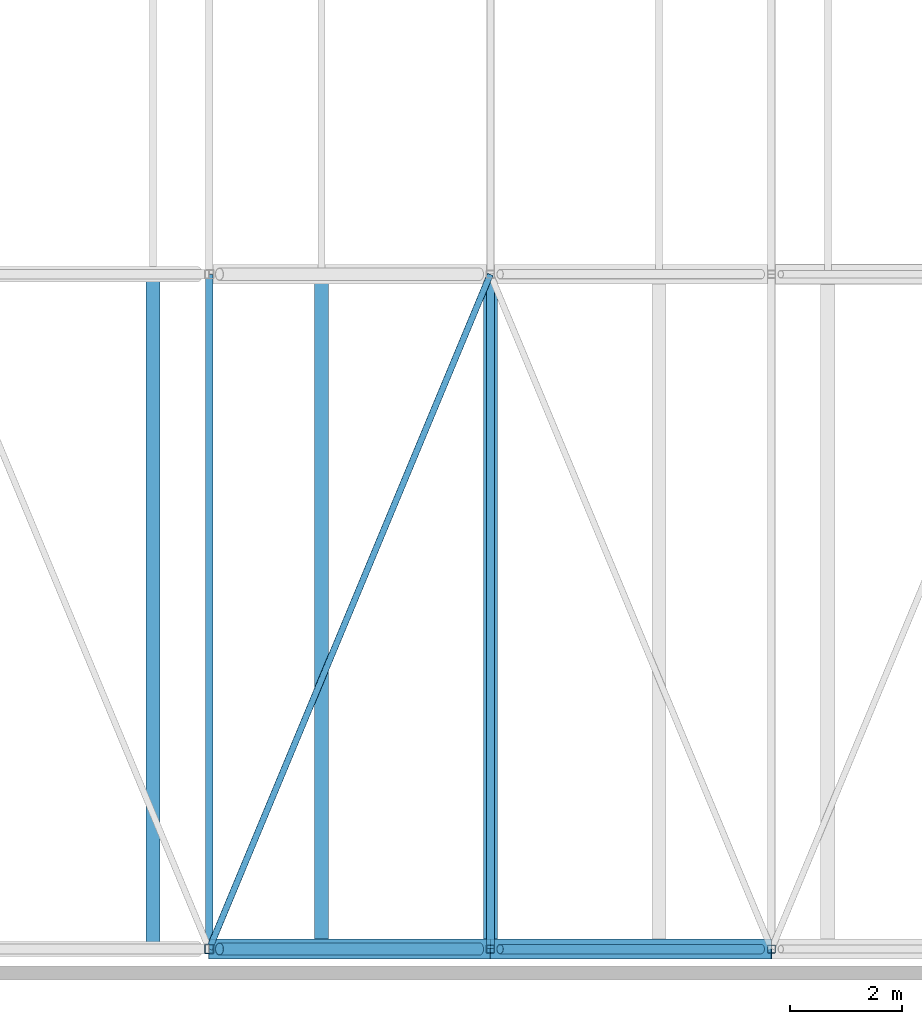
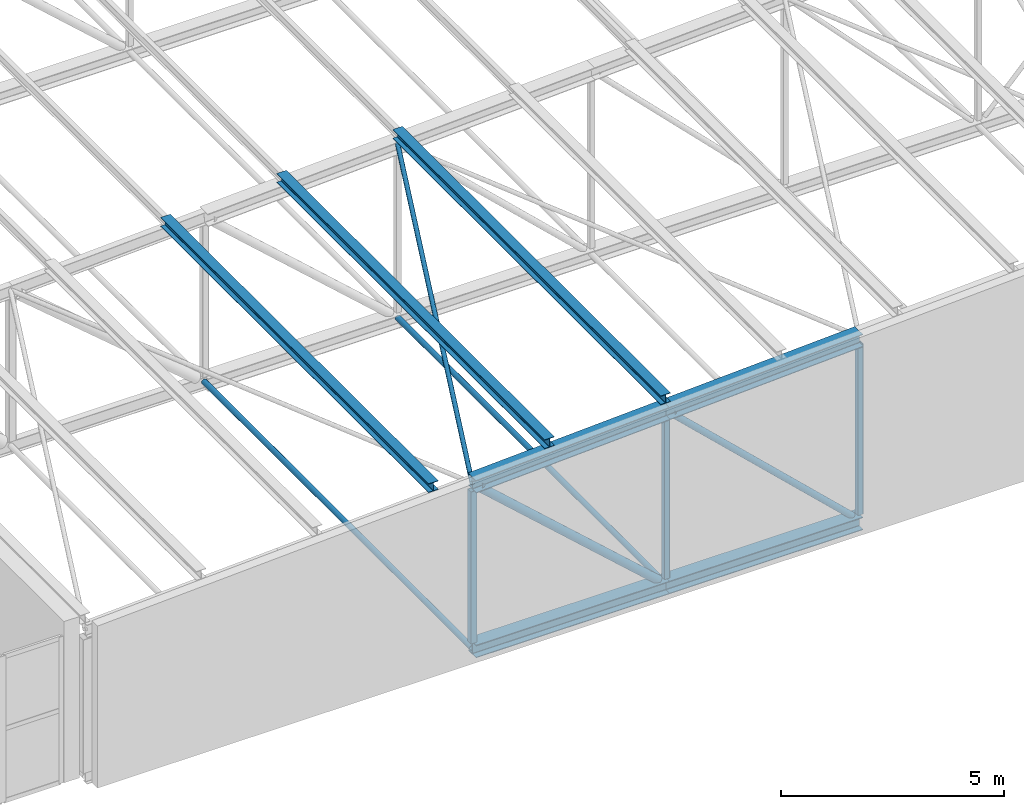
# One storey, part 13 of 156: 15 members.
"""IFC4 building model written with IfcOpenShell, lengths in metres."""

from ifc_helpers import new_model, si_unit, direction, frame, origin, origin_2d, place, context, subcontext, project, spatial, hollow_rectangle, hollow_circle, i_section, extrude, material, material_profile, profile_set, type_object, element, save


model = new_model("IFC4")

# Units and contexts
model_context = context("Model", 3, precision=1e-05, world=origin(), true_north=direction((0.0, 1.0)))
body_context = subcontext(model_context, "Body", "Model", "MODEL_VIEW")
ifc_project = project(units=[si_unit("LENGTHUNIT", "METRE"), si_unit("AREAUNIT", "SQUARE_METRE"), si_unit("VOLUMEUNIT", "CUBIC_METRE"), si_unit("PLANEANGLEUNIT", "RADIAN"), si_unit("MASSUNIT", "GRAM", prefix="KILO")], contexts=[model_context])

# Site, building, storey
site_placement = place(None, origin())
site = spatial("IfcSite", under=ifc_project, at=site_placement, CompositionType="ELEMENT")
building_placement = place(site_placement, origin())
building = spatial("IfcBuilding", under=site, at=building_placement, Name="Lilac Gate Convention Centre", CompositionType="ELEMENT")
storey_placement = place(building_placement, frame((0.0, 0.0, 17.0)))
storey = spatial("IfcBuildingStorey", under=building, at=storey_placement, Name="L03", CompositionType="ELEMENT", Elevation=17.0)

# Members
ifc_material = material(Name="Steel Q355B", Category="steel")
ifc_material_profile_1 = material_profile(ifc_material, hollow_circle(Radius=0.06982421875, WallThickness=0.0048828125, at=origin_2d()), Name="CHS139.7x5")
ifc_profile_set_1 = profile_set([ifc_material_profile_1], Name="Steel Q355B")
member_type_1 = type_object("IfcMemberType", Name="Bottom chord tie CHS139.7x5", PredefinedType="STRUT", material=ifc_profile_set_1)
member_1_placement = place(storey_placement, frame((40.0, 30.00341796875, 0.0), z_axis=(0.0, 1.0, 0.0), x_axis=(-1.0, 0.0, 0.0)))
element("IfcMember", 1, at=member_1_placement, inside=storey, type_object=member_type_1, Name="ST1 tie bay 1 node 3", PredefinedType="STRUT", context=body_context, shape_type="SweptSolid", body=[
    extrude(hollow_circle(Radius=0.06982421875, WallThickness=0.0048828125, at=origin_2d()), origin(), (0.0, 0.0, 1.0), 11.9931640625),
])
member_2_placement = place(storey_placement, frame((45.0, 30.006103515625, 0.0), z_axis=(0.0, 1.0, 0.0), x_axis=(-1.0, 0.0, 0.0)))
element("IfcMember", 2, at=member_2_placement, inside=storey, type_object=member_type_1, Name="ST1 tie bay 1 node 4", PredefinedType="STRUT", context=body_context, shape_type="SweptSolid", body=[
    extrude(hollow_circle(Radius=0.06982421875, WallThickness=0.0048828125, at=origin_2d()), origin(), (0.0, 0.0, 1.0), 11.98779296875),
])
ifc_material_profile_2 = material_profile(ifc_material, hollow_circle(Radius=0.05712890625, WallThickness=0.0048828125, at=origin_2d()), Name="CHS114.3x5")
ifc_profile_set_2 = profile_set([ifc_material_profile_2], Name="Steel Q355B")
member_type_2 = type_object("IfcMemberType", Name="Roof plane bracing CHS114.3x5", PredefinedType="BRACE", material=ifc_profile_set_2)
member_3_placement = place(storey_placement, frame((40.00146484375, 30.00341796875, 4.5), z_axis=(0.384538867181, 0.922908311091, 0.019238215751), x_axis=(-0.923079146825, 0.384610047578, 0.0)))
element("IfcMember", 3, at=member_3_placement, inside=storey, type_object=member_type_2, Name="BR1 plan bracing bay 1 panel 3", PredefinedType="BRACE", context=body_context, shape_type="SweptSolid", body=[
    extrude(hollow_circle(Radius=0.05712890625, WallThickness=0.0048828125, at=origin_2d()), origin(), (0.0, 0.0, 1.0), 12.994873046875),
])
ifc_material_profile_3 = material_profile(ifc_material, i_section(OverallWidth=0.25, OverallDepth=0.25, WebThickness=0.009033203125, FlangeThickness=0.013916015625, FilletRadius=0.012939453125, at=origin_2d()), Name="HW250x250x9x14")
ifc_profile_set_3 = profile_set([ifc_material_profile_3], Name="Steel Q355B")
member_type_3 = type_object("IfcMemberType", Name="Roof purlin HW250x250x9x14", PredefinedType="PURLIN", material=ifc_profile_set_3)
for number, where, z_axis, x_axis, name in (
    (4, (39.0, 30.0, 4.750244140625), (0.0, 1.0, 0.0), (-1.0, 0.0, 0.0), "PU1 purlin bay 1 line 4"),
    (5, (42.0, 30.0, 4.900146484375), (0.0, 1.0, 0.0), (-1.0, 0.0, 0.0), "PU1 purlin bay 1 line 5"),
    (6, (45.0, 30.0, 5.05029296875), (0.0, 1.0, 0.0), (-1.0, 0.0, 0.0), "PU1 purlin bay 1 line 6"),
):
    element("IfcMember", number, at=place(storey_placement, frame(where, z_axis=z_axis, x_axis=x_axis)), inside=storey, type_object=member_type_3, Name=name, PredefinedType="PURLIN", context=body_context, shape_type="SweptSolid", body=[
        extrude(i_section(OverallWidth=0.25, OverallDepth=0.25, WebThickness=0.009033203125, FlangeThickness=0.013916015625, FilletRadius=0.012939453125, at=origin_2d()), origin(), (0.0, 0.0, 1.0), 12.0),
    ])
ifc_material_profile_4 = material_profile(ifc_material, i_section(OverallWidth=0.35009765625, OverallDepth=0.35009765625, WebThickness=0.011962890625, FlangeThickness=0.01904296875, FilletRadius=0.012939453125, at=origin_2d()), Name="HW350x350x12x19")
ifc_profile_set_4 = profile_set([ifc_material_profile_4], Name="Steel Q355B")
member_type_4 = type_object("IfcMemberType", Name="Truss bottom chord HW350x350x12x19", PredefinedType="CHORD", material=ifc_profile_set_4)
for number, where, z_axis, x_axis, name in (
    (7, (40.0, 30.0, 0.0), (1.0, 0.0, 0.0), (0.0, 1.0, 0.0), "TB2 truss 1 bottom chord 3"),
    (8, (45.0, 30.0, 0.0), (1.0, 0.0, 0.0), (0.0, 1.0, 0.0), "TB2 truss 1 bottom chord 4"),
):
    element("IfcMember", number, at=place(storey_placement, frame(where, z_axis=z_axis, x_axis=x_axis)), inside=storey, type_object=member_type_4, Name=name, PredefinedType="CHORD", context=body_context, shape_type="SweptSolid", body=[
        extrude(i_section(OverallWidth=0.35009765625, OverallDepth=0.35009765625, WebThickness=0.011962890625, FlangeThickness=0.01904296875, FilletRadius=0.012939453125, at=origin_2d()), origin(), (0.0, 0.0, 1.0), 5.0),
    ])
ifc_material_profile_5 = material_profile(ifc_material, hollow_circle(Radius=0.084228515625, WallThickness=0.006103515625, at=origin_2d()), Name="CHS168.3x6")
ifc_profile_set_5 = profile_set([ifc_material_profile_5], Name="Steel Q355B")
member_type_5 = type_object("IfcMemberType", Name="Truss diagonal CHS168.3x6", PredefinedType="BRACE", material=ifc_profile_set_5)
member_4_placement = place(storey_placement, frame((45.1728515625, 30.0, 4.585693359375), z_axis=(0.725020373275, 0.0, -0.688727419475), x_axis=(0.0, 1.0, 0.0)))
element("IfcMember", 9, at=member_4_placement, inside=storey, type_object=member_type_5, Name="TW4 truss 1 diagonal 4", PredefinedType="BRACE", context=body_context, shape_type="SweptSolid", body=[
    extrude(hollow_circle(Radius=0.084228515625, WallThickness=0.006103515625, at=origin_2d()), origin(), (0.0, 0.0, 1.0), 6.404052734375),
])
ifc_material_profile_6 = material_profile(ifc_material, hollow_circle(Radius=0.109619140625, WallThickness=0.008056640625, at=origin_2d()), Name="CHS219.1x8")
ifc_profile_set_6 = profile_set([ifc_material_profile_6], Name="Steel Q355B")
member_type_6 = type_object("IfcMemberType", Name="Truss diagonal CHS219.1x8", PredefinedType="BRACE", material=ifc_profile_set_6)
member_5_placement = place(storey_placement, frame((40.1826171875, 30.0, 4.335693359375), z_axis=(0.743301953498, 0.0, -0.668956056797), x_axis=(0.0, 1.0, 0.0)))
element("IfcMember", 10, at=member_5_placement, inside=storey, type_object=member_type_6, Name="TW3 truss 1 diagonal 3", PredefinedType="BRACE", context=body_context, shape_type="SweptSolid", body=[
    extrude(hollow_circle(Radius=0.109619140625, WallThickness=0.008056640625, at=origin_2d()), origin(), (0.0, 0.0, 1.0), 6.2197265625),
])
ifc_material_profile_7 = material_profile(ifc_material, i_section(OverallWidth=0.35009765625, OverallDepth=0.35009765625, WebThickness=0.011962890625, FlangeThickness=0.01904296875, FilletRadius=0.012939453125, at=origin_2d()), Name="HW350x350x12x19")
ifc_profile_set_7 = profile_set([ifc_material_profile_7], Name="Steel Q355B")
member_type_7 = type_object("IfcMemberType", Name="Truss top chord HW350x350x12x19", PredefinedType="CHORD", material=ifc_profile_set_7)
for number, where, z_axis, x_axis, name in (
    (11, (40.0, 30.0, 4.5), (0.998752338878, 0.0, 0.049937616944), (0.0, 1.0, 0.0), "TT2 truss 1 top chord 3"),
    (12, (45.0, 30.0, 4.75), (0.998752338878, 0.0, 0.049937616944), (0.0, 1.0, 0.0), "TT2 truss 1 top chord 4"),
):
    element("IfcMember", number, at=place(storey_placement, frame(where, z_axis=z_axis, x_axis=x_axis)), inside=storey, type_object=member_type_7, Name=name, PredefinedType="CHORD", context=body_context, shape_type="SweptSolid", body=[
        extrude(i_section(OverallWidth=0.35009765625, OverallDepth=0.35009765625, WebThickness=0.011962890625, FlangeThickness=0.01904296875, FilletRadius=0.012939453125, at=origin_2d()), origin(), (0.0, 0.0, 1.0), 5.00634765625),
    ])
ifc_material_profile_8 = material_profile(ifc_material, hollow_rectangle(XDim=0.139892578125, YDim=0.139892578125, WallThickness=0.0048828125, InnerFilletRadius=0.0048828125, OuterFilletRadius=0.010009765625, at=origin_2d()), Name="SHS140x140x5")
ifc_profile_set_8 = profile_set([ifc_material_profile_8], Name="Steel Q355B")
member_type_8 = type_object("IfcMemberType", Name="Truss vertical SHS140x140x5", PredefinedType="STRUT", material=ifc_profile_set_8)
member_6_placement = place(storey_placement, frame((45.0, 30.0, 0.175048828125), z_axis=(0.0, 0.0, 1.0), x_axis=(1.0, 0.0, 0.0)))
element("IfcMember", 13, at=member_6_placement, inside=storey, type_object=member_type_8, Name="TV4 truss 1 vertical 4", PredefinedType="STRUT", context=body_context, shape_type="SweptSolid", body=[
    extrude(hollow_rectangle(XDim=0.139892578125, YDim=0.139892578125, WallThickness=0.0048828125, InnerFilletRadius=0.0048828125, OuterFilletRadius=0.010009765625, at=origin_2d()), origin(), (0.0, 0.0, 1.0), 4.399658203125),
])
member_7_placement = place(storey_placement, frame((50.0, 30.0, 0.175048828125), z_axis=(0.0, 0.0, 1.0), x_axis=(1.0, 0.0, 0.0)))
element("IfcMember", 14, at=member_7_placement, inside=storey, type_object=member_type_8, Name="TV4 truss 1 vertical 5", PredefinedType="STRUT", context=body_context, shape_type="SweptSolid", body=[
    extrude(hollow_rectangle(XDim=0.139892578125, YDim=0.139892578125, WallThickness=0.0048828125, InnerFilletRadius=0.0048828125, OuterFilletRadius=0.010009765625, at=origin_2d()), origin(), (0.0, 0.0, 1.0), 4.649658203125),
])
ifc_material_profile_9 = material_profile(ifc_material, hollow_rectangle(XDim=0.159912109375, YDim=0.159912109375, WallThickness=0.006103515625, InnerFilletRadius=0.006103515625, OuterFilletRadius=0.011962890625, at=origin_2d()), Name="SHS160x160x6")
ifc_profile_set_9 = profile_set([ifc_material_profile_9], Name="Steel Q355B")
member_type_9 = type_object("IfcMemberType", Name="Truss vertical SHS160x160x6", PredefinedType="STRUT", material=ifc_profile_set_9)
member_8_placement = place(storey_placement, frame((40.0, 30.0, 0.175048828125), z_axis=(0.0, 0.0, 1.0), x_axis=(1.0, 0.0, 0.0)))
element("IfcMember", 15, at=member_8_placement, inside=storey, type_object=member_type_9, Name="TV3 truss 1 vertical 3", PredefinedType="STRUT", context=body_context, shape_type="SweptSolid", body=[
    extrude(hollow_rectangle(XDim=0.159912109375, YDim=0.159912109375, WallThickness=0.006103515625, InnerFilletRadius=0.006103515625, OuterFilletRadius=0.011962890625, at=origin_2d()), origin(), (0.0, 0.0, 1.0), 4.149658203125),
])

save(model, "model.ifc")
